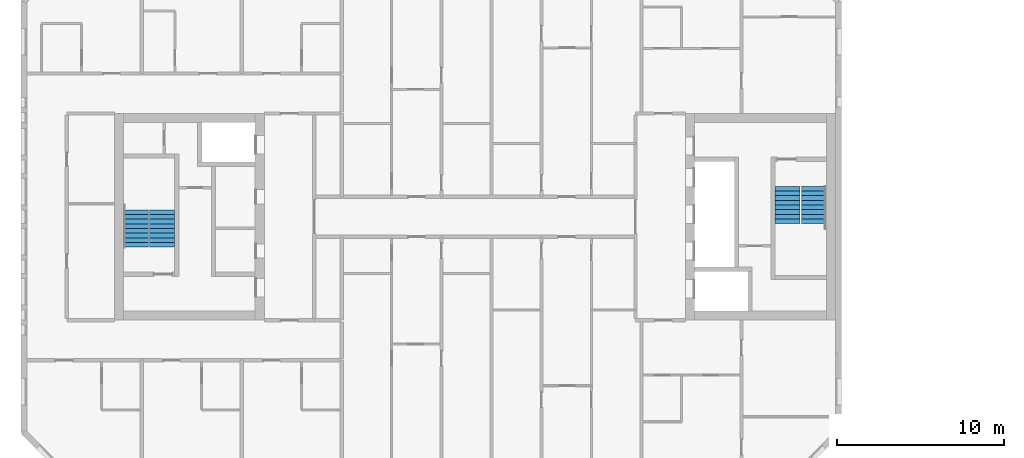
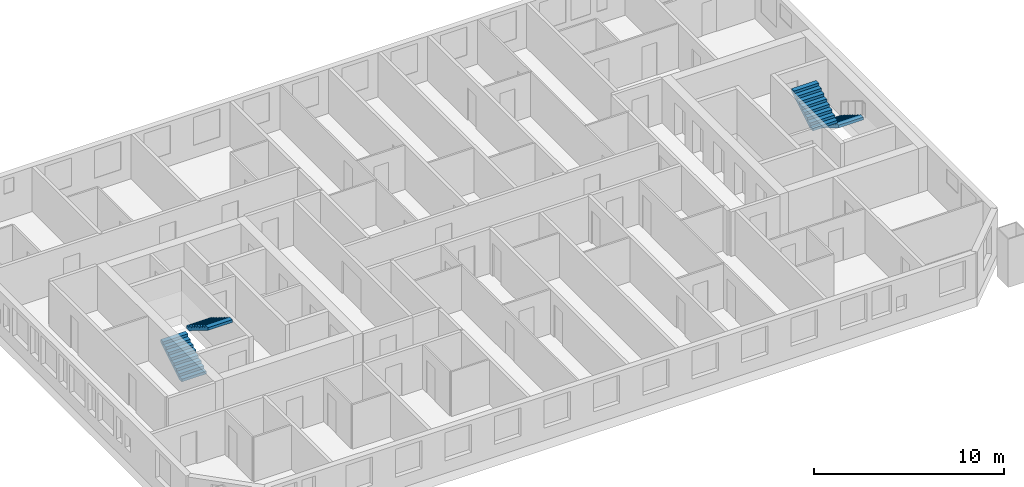
# One storey, part 16 of 17: 4 stair flights, 2 elements without a shape of their own.
"""IFC4 building model written with IfcOpenShell, lengths in metres."""

from ifc_helpers import new_model, si_unit, direction, frame, origin, place, context, subcontext, project, spatial, faceted_brep, material, type_object, element, aggregate, save


model = new_model("IFC4")

# Units and contexts
model_context = context("Model", 3, precision=1e-05, world=origin(), true_north=direction((0.0, 1.0)))
body_context = subcontext(model_context, "Body", "Model", "MODEL_VIEW")
ifc_project = project(units=[si_unit("LENGTHUNIT", "METRE"), si_unit("AREAUNIT", "SQUARE_METRE"), si_unit("VOLUMEUNIT", "CUBIC_METRE"), si_unit("PLANEANGLEUNIT", "RADIAN"), si_unit("MASSUNIT", "GRAM", prefix="KILO")], contexts=[model_context])

# Site, building, storey
site_placement = place(None, origin())
site = spatial("IfcSite", under=ifc_project, at=site_placement, CompositionType="ELEMENT")
building_placement = place(site_placement, origin())
building = spatial("IfcBuilding", under=site, at=building_placement, Name="Tuart Gate Housing", CompositionType="ELEMENT")
storey_placement = place(building_placement, frame((0.0, 0.0, 123.699951171875)))
storey = spatial("IfcBuildingStorey", under=building, at=storey_placement, Name="L34", CompositionType="ELEMENT", Elevation=123.699951171875)

# Stair, stair flights
ifc_material_1 = material(Name="Concrete C40", Category="concrete")
stair_type = type_object("IfcStairType", Name="Core stair 1500", PredefinedType="HALF_TURN_STAIR", material=ifc_material_1)
stair_1_placement = place(storey_placement, origin())
stair_1 = element("IfcStair", 1, at=stair_1_placement, inside=storey, type_object=stair_type, Name="Stair SA1", PredefinedType="HALF_TURN_STAIR")
ifc_material_2 = material(Name="Concrete C40", Category="concrete")
stair_flight_type = type_object("IfcStairFlightType", Name="Stair flight 1500, 9 risers 172 x 280", PredefinedType="STRAIGHT", material=ifc_material_2)
stair_flight_1_placement = place(storey_placement, frame((74.340087890625, 71.824951171875, 0.0), z_axis=(0.0, 0.0, 1.0), x_axis=(0.0, -1.0, 0.0)))
stair_flight_1 = element("IfcStairFlight", 2, at=stair_flight_1_placement, type_object=stair_flight_type, Name="SA1 flight 1", NumberOfRisers=9, NumberOfTreads=8, PredefinedType="STRAIGHT", RiserHeight=0.172222222, TreadLength=0.28, context=body_context, shape_type="Brep", body=[
    faceted_brep([(0.0, 0.75, 0.0), (0.0, 0.75, 0.172119140625), (0.280029296875, 0.75, 0.172119140625), (0.280029296875, 0.75, 0.344482421875), (0.56005859375, 0.75, 0.344482421875), (0.56005859375, 0.75, 0.5166015625), (0.840087890625, 0.75, 0.5166015625), (0.840087890625, 0.75, 0.68896484375), (1.1201171875, 0.75, 0.68896484375), (1.1201171875, 0.75, 0.861083984375), (1.39990234375, 0.75, 0.861083984375), (1.39990234375, 0.75, 1.033447265625), (1.679931640625, 0.75, 1.033447265625), (1.679931640625, 0.75, 1.20556640625), (1.9599609375, 0.75, 1.20556640625), (1.9599609375, 0.75, 1.377685546875), (2.239990234375, 0.75, 1.377685546875), (2.239990234375, 0.75, 1.201904296875), (0.2861328125, 0.75, 0.0), (0.2861328125, -0.75, 0.0), (2.239990234375, -0.75, 1.201904296875), (2.239990234375, -0.75, 1.377685546875), (1.9599609375, -0.75, 1.377685546875), (1.9599609375, -0.75, 1.20556640625), (1.679931640625, -0.75, 1.20556640625), (1.679931640625, -0.75, 1.033447265625), (1.39990234375, -0.75, 1.033447265625), (1.39990234375, -0.75, 0.861083984375), (1.1201171875, -0.75, 0.861083984375), (1.1201171875, -0.75, 0.68896484375), (0.840087890625, -0.75, 0.68896484375), (0.840087890625, -0.75, 0.5166015625), (0.56005859375, -0.75, 0.5166015625), (0.56005859375, -0.75, 0.344482421875), (0.280029296875, -0.75, 0.344482421875), (0.280029296875, -0.75, 0.172119140625), (0.0, -0.75, 0.172119140625), (0.0, -0.75, 0.0), (2.239990234375, 0.0, 1.201904296875), (0.2861328125, 0.0, 0.0), (2.239990234375, 0.0, 1.377685546875), (1.9599609375, 0.0, 1.377685546875), (1.9599609375, 0.0, 1.20556640625), (1.679931640625, 0.0, 1.20556640625), (1.679931640625, 0.0, 1.033447265625), (1.39990234375, 0.0, 1.033447265625), (1.39990234375, 0.0, 0.861083984375), (1.1201171875, 0.0, 0.861083984375), (1.1201171875, 0.0, 0.68896484375), (0.840087890625, 0.0, 0.68896484375), (0.840087890625, 0.0, 0.5166015625), (0.56005859375, 0.0, 0.5166015625), (0.56005859375, 0.0, 0.344482421875), (0.280029296875, 0.0, 0.344482421875), (0.280029296875, 0.0, 0.172119140625), (0.0, 0.0, 0.172119140625), (0.0, 0.0, 0.0)], [[[0, 1, 2, 3, 4, 5, 6, 7, 8, 9, 10, 11, 12, 13, 14, 15, 16, 17, 18]], [[19, 20, 21, 22, 23, 24, 25, 26, 27, 28, 29, 30, 31, 32, 33, 34, 35, 36, 37]], [[18, 17, 38, 39]], [[39, 38, 20, 19]], [[17, 16, 40, 38]], [[38, 40, 21, 20]], [[16, 15, 41, 40]], [[40, 41, 22, 21]], [[15, 14, 42, 41]], [[41, 42, 23, 22]], [[14, 13, 43, 42]], [[42, 43, 24, 23]], [[13, 12, 44, 43]], [[43, 44, 25, 24]], [[12, 11, 45, 44]], [[44, 45, 26, 25]], [[11, 10, 46, 45]], [[45, 46, 27, 26]], [[10, 9, 47, 46]], [[46, 47, 28, 27]], [[9, 8, 48, 47]], [[47, 48, 29, 28]], [[8, 7, 49, 48]], [[48, 49, 30, 29]], [[7, 6, 50, 49]], [[49, 50, 31, 30]], [[6, 5, 51, 50]], [[50, 51, 32, 31]], [[5, 4, 52, 51]], [[51, 52, 33, 32]], [[4, 3, 53, 52]], [[52, 53, 34, 33]], [[3, 2, 54, 53]], [[53, 54, 35, 34]], [[2, 1, 55, 54]], [[54, 55, 36, 35]], [[1, 0, 56, 55]], [[55, 56, 37, 36]], [[0, 18, 39, 56]], [[56, 39, 19, 37]]]),
])
stair_flight_2_placement = place(storey_placement, frame((72.764892578125, 69.5849609375, 1.550048828125), z_axis=(0.0, 0.0, 1.0), x_axis=(0.0, 1.0, 0.0)))
stair_flight_2 = element("IfcStairFlight", 3, at=stair_flight_2_placement, type_object=stair_flight_type, Name="SA1 flight 2", NumberOfRisers=9, NumberOfTreads=8, PredefinedType="STRAIGHT", RiserHeight=0.172222222, TreadLength=0.28, context=body_context, shape_type="Brep", body=[
    faceted_brep([(0.0, 0.75, 0.0), (0.0, 0.75, 0.172119140625), (0.280029296875, 0.75, 0.172119140625), (0.280029296875, 0.75, 0.344482421875), (0.56005859375, 0.75, 0.344482421875), (0.56005859375, 0.75, 0.5166015625), (0.840087890625, 0.75, 0.5166015625), (0.840087890625, 0.75, 0.68896484375), (1.1201171875, 0.75, 0.68896484375), (1.1201171875, 0.75, 0.861083984375), (1.39990234375, 0.75, 0.861083984375), (1.39990234375, 0.75, 1.033447265625), (1.679931640625, 0.75, 1.033447265625), (1.679931640625, 0.75, 1.20556640625), (1.9599609375, 0.75, 1.20556640625), (1.9599609375, 0.75, 1.377685546875), (2.239990234375, 0.75, 1.377685546875), (2.239990234375, 0.75, 1.201904296875), (0.2861328125, 0.75, 0.0), (0.2861328125, -0.75, 0.0), (2.239990234375, -0.75, 1.201904296875), (2.239990234375, -0.75, 1.377685546875), (1.9599609375, -0.75, 1.377685546875), (1.9599609375, -0.75, 1.20556640625), (1.679931640625, -0.75, 1.20556640625), (1.679931640625, -0.75, 1.033447265625), (1.39990234375, -0.75, 1.033447265625), (1.39990234375, -0.75, 0.861083984375), (1.1201171875, -0.75, 0.861083984375), (1.1201171875, -0.75, 0.68896484375), (0.840087890625, -0.75, 0.68896484375), (0.840087890625, -0.75, 0.5166015625), (0.56005859375, -0.75, 0.5166015625), (0.56005859375, -0.75, 0.344482421875), (0.280029296875, -0.75, 0.344482421875), (0.280029296875, -0.75, 0.172119140625), (0.0, -0.75, 0.172119140625), (0.0, -0.75, 0.0), (2.239990234375, 0.0, 1.201904296875), (0.2861328125, 0.0, 0.0), (2.239990234375, 0.0, 1.377685546875), (1.9599609375, 0.0, 1.377685546875), (1.9599609375, 0.0, 1.20556640625), (1.679931640625, 0.0, 1.20556640625), (1.679931640625, 0.0, 1.033447265625), (1.39990234375, 0.0, 1.033447265625), (1.39990234375, 0.0, 0.861083984375), (1.1201171875, 0.0, 0.861083984375), (1.1201171875, 0.0, 0.68896484375), (0.840087890625, 0.0, 0.68896484375), (0.840087890625, 0.0, 0.5166015625), (0.56005859375, 0.0, 0.5166015625), (0.56005859375, 0.0, 0.344482421875), (0.280029296875, 0.0, 0.344482421875), (0.280029296875, 0.0, 0.172119140625), (0.0, 0.0, 0.172119140625), (0.0, 0.0, 0.0)], [[[0, 1, 2, 3, 4, 5, 6, 7, 8, 9, 10, 11, 12, 13, 14, 15, 16, 17, 18]], [[19, 20, 21, 22, 23, 24, 25, 26, 27, 28, 29, 30, 31, 32, 33, 34, 35, 36, 37]], [[18, 17, 38, 39]], [[39, 38, 20, 19]], [[17, 16, 40, 38]], [[38, 40, 21, 20]], [[16, 15, 41, 40]], [[40, 41, 22, 21]], [[15, 14, 42, 41]], [[41, 42, 23, 22]], [[14, 13, 43, 42]], [[42, 43, 24, 23]], [[13, 12, 44, 43]], [[43, 44, 25, 24]], [[12, 11, 45, 44]], [[44, 45, 26, 25]], [[11, 10, 46, 45]], [[45, 46, 27, 26]], [[10, 9, 47, 46]], [[46, 47, 28, 27]], [[9, 8, 48, 47]], [[47, 48, 29, 28]], [[8, 7, 49, 48]], [[48, 49, 30, 29]], [[7, 6, 50, 49]], [[49, 50, 31, 30]], [[6, 5, 51, 50]], [[50, 51, 32, 31]], [[5, 4, 52, 51]], [[51, 52, 33, 32]], [[4, 3, 53, 52]], [[52, 53, 34, 33]], [[3, 2, 54, 53]], [[53, 54, 35, 34]], [[2, 1, 55, 54]], [[54, 55, 36, 35]], [[1, 0, 56, 55]], [[55, 56, 37, 36]], [[0, 18, 39, 56]], [[56, 39, 19, 37]]]),
])
aggregate(stair_1, [stair_flight_1, stair_flight_2])

stair_2_placement = place(storey_placement, origin())
stair_2 = element("IfcStair", 4, at=stair_2_placement, inside=storey, type_object=stair_type, Name="Stair SA2", PredefinedType="HALF_TURN_STAIR")
stair_flight_3_placement = place(storey_placement, frame((33.659912109375, 68.175048828125, 0.0), z_axis=(0.0, 0.0, 1.0), x_axis=(0.0, 1.0, 0.0)))
stair_flight_3 = element("IfcStairFlight", 5, at=stair_flight_3_placement, type_object=stair_flight_type, Name="SA2 flight 1", NumberOfRisers=9, NumberOfTreads=8, PredefinedType="STRAIGHT", RiserHeight=0.172222222, TreadLength=0.28, context=body_context, shape_type="Brep", body=[
    faceted_brep([(0.0, 0.75, 0.0), (0.0, 0.75, 0.172119140625), (0.280029296875, 0.75, 0.172119140625), (0.280029296875, 0.75, 0.344482421875), (0.56005859375, 0.75, 0.344482421875), (0.56005859375, 0.75, 0.5166015625), (0.840087890625, 0.75, 0.5166015625), (0.840087890625, 0.75, 0.68896484375), (1.1201171875, 0.75, 0.68896484375), (1.1201171875, 0.75, 0.861083984375), (1.39990234375, 0.75, 0.861083984375), (1.39990234375, 0.75, 1.033447265625), (1.679931640625, 0.75, 1.033447265625), (1.679931640625, 0.75, 1.20556640625), (1.9599609375, 0.75, 1.20556640625), (1.9599609375, 0.75, 1.377685546875), (2.239990234375, 0.75, 1.377685546875), (2.239990234375, 0.75, 1.201904296875), (0.2861328125, 0.75, 0.0), (0.2861328125, -0.75, 0.0), (2.239990234375, -0.75, 1.201904296875), (2.239990234375, -0.75, 1.377685546875), (1.9599609375, -0.75, 1.377685546875), (1.9599609375, -0.75, 1.20556640625), (1.679931640625, -0.75, 1.20556640625), (1.679931640625, -0.75, 1.033447265625), (1.39990234375, -0.75, 1.033447265625), (1.39990234375, -0.75, 0.861083984375), (1.1201171875, -0.75, 0.861083984375), (1.1201171875, -0.75, 0.68896484375), (0.840087890625, -0.75, 0.68896484375), (0.840087890625, -0.75, 0.5166015625), (0.56005859375, -0.75, 0.5166015625), (0.56005859375, -0.75, 0.344482421875), (0.280029296875, -0.75, 0.344482421875), (0.280029296875, -0.75, 0.172119140625), (0.0, -0.75, 0.172119140625), (0.0, -0.75, 0.0), (2.239990234375, 0.0, 1.201904296875), (0.2861328125, 0.0, 0.0), (2.239990234375, 0.0, 1.377685546875), (1.9599609375, 0.0, 1.377685546875), (1.9599609375, 0.0, 1.20556640625), (1.679931640625, 0.0, 1.20556640625), (1.679931640625, 0.0, 1.033447265625), (1.39990234375, 0.0, 1.033447265625), (1.39990234375, 0.0, 0.861083984375), (1.1201171875, 0.0, 0.861083984375), (1.1201171875, 0.0, 0.68896484375), (0.840087890625, 0.0, 0.68896484375), (0.840087890625, 0.0, 0.5166015625), (0.56005859375, 0.0, 0.5166015625), (0.56005859375, 0.0, 0.344482421875), (0.280029296875, 0.0, 0.344482421875), (0.280029296875, 0.0, 0.172119140625), (0.0, 0.0, 0.172119140625), (0.0, 0.0, 0.0)], [[[0, 1, 2, 3, 4, 5, 6, 7, 8, 9, 10, 11, 12, 13, 14, 15, 16, 17, 18]], [[19, 20, 21, 22, 23, 24, 25, 26, 27, 28, 29, 30, 31, 32, 33, 34, 35, 36, 37]], [[18, 17, 38, 39]], [[39, 38, 20, 19]], [[17, 16, 40, 38]], [[38, 40, 21, 20]], [[16, 15, 41, 40]], [[40, 41, 22, 21]], [[15, 14, 42, 41]], [[41, 42, 23, 22]], [[14, 13, 43, 42]], [[42, 43, 24, 23]], [[13, 12, 44, 43]], [[43, 44, 25, 24]], [[12, 11, 45, 44]], [[44, 45, 26, 25]], [[11, 10, 46, 45]], [[45, 46, 27, 26]], [[10, 9, 47, 46]], [[46, 47, 28, 27]], [[9, 8, 48, 47]], [[47, 48, 29, 28]], [[8, 7, 49, 48]], [[48, 49, 30, 29]], [[7, 6, 50, 49]], [[49, 50, 31, 30]], [[6, 5, 51, 50]], [[50, 51, 32, 31]], [[5, 4, 52, 51]], [[51, 52, 33, 32]], [[4, 3, 53, 52]], [[52, 53, 34, 33]], [[3, 2, 54, 53]], [[53, 54, 35, 34]], [[2, 1, 55, 54]], [[54, 55, 36, 35]], [[1, 0, 56, 55]], [[55, 56, 37, 36]], [[0, 18, 39, 56]], [[56, 39, 19, 37]]]),
])
stair_flight_4_placement = place(storey_placement, frame((35.235107421875, 70.4150390625, 1.550048828125), z_axis=(0.0, 0.0, 1.0), x_axis=(0.0, -1.0, 0.0)))
stair_flight_4 = element("IfcStairFlight", 6, at=stair_flight_4_placement, type_object=stair_flight_type, Name="SA2 flight 2", NumberOfRisers=9, NumberOfTreads=8, PredefinedType="STRAIGHT", RiserHeight=0.172222222, TreadLength=0.28, context=body_context, shape_type="Brep", body=[
    faceted_brep([(0.0, 0.75, 0.0), (0.0, 0.75, 0.172119140625), (0.280029296875, 0.75, 0.172119140625), (0.280029296875, 0.75, 0.344482421875), (0.56005859375, 0.75, 0.344482421875), (0.56005859375, 0.75, 0.5166015625), (0.840087890625, 0.75, 0.5166015625), (0.840087890625, 0.75, 0.68896484375), (1.1201171875, 0.75, 0.68896484375), (1.1201171875, 0.75, 0.861083984375), (1.39990234375, 0.75, 0.861083984375), (1.39990234375, 0.75, 1.033447265625), (1.679931640625, 0.75, 1.033447265625), (1.679931640625, 0.75, 1.20556640625), (1.9599609375, 0.75, 1.20556640625), (1.9599609375, 0.75, 1.377685546875), (2.239990234375, 0.75, 1.377685546875), (2.239990234375, 0.75, 1.201904296875), (0.2861328125, 0.75, 0.0), (0.2861328125, -0.75, 0.0), (2.239990234375, -0.75, 1.201904296875), (2.239990234375, -0.75, 1.377685546875), (1.9599609375, -0.75, 1.377685546875), (1.9599609375, -0.75, 1.20556640625), (1.679931640625, -0.75, 1.20556640625), (1.679931640625, -0.75, 1.033447265625), (1.39990234375, -0.75, 1.033447265625), (1.39990234375, -0.75, 0.861083984375), (1.1201171875, -0.75, 0.861083984375), (1.1201171875, -0.75, 0.68896484375), (0.840087890625, -0.75, 0.68896484375), (0.840087890625, -0.75, 0.5166015625), (0.56005859375, -0.75, 0.5166015625), (0.56005859375, -0.75, 0.344482421875), (0.280029296875, -0.75, 0.344482421875), (0.280029296875, -0.75, 0.172119140625), (0.0, -0.75, 0.172119140625), (0.0, -0.75, 0.0), (2.239990234375, 0.0, 1.201904296875), (0.2861328125, 0.0, 0.0), (2.239990234375, 0.0, 1.377685546875), (1.9599609375, 0.0, 1.377685546875), (1.9599609375, 0.0, 1.20556640625), (1.679931640625, 0.0, 1.20556640625), (1.679931640625, 0.0, 1.033447265625), (1.39990234375, 0.0, 1.033447265625), (1.39990234375, 0.0, 0.861083984375), (1.1201171875, 0.0, 0.861083984375), (1.1201171875, 0.0, 0.68896484375), (0.840087890625, 0.0, 0.68896484375), (0.840087890625, 0.0, 0.5166015625), (0.56005859375, 0.0, 0.5166015625), (0.56005859375, 0.0, 0.344482421875), (0.280029296875, 0.0, 0.344482421875), (0.280029296875, 0.0, 0.172119140625), (0.0, 0.0, 0.172119140625), (0.0, 0.0, 0.0)], [[[0, 1, 2, 3, 4, 5, 6, 7, 8, 9, 10, 11, 12, 13, 14, 15, 16, 17, 18]], [[19, 20, 21, 22, 23, 24, 25, 26, 27, 28, 29, 30, 31, 32, 33, 34, 35, 36, 37]], [[18, 17, 38, 39]], [[39, 38, 20, 19]], [[17, 16, 40, 38]], [[38, 40, 21, 20]], [[16, 15, 41, 40]], [[40, 41, 22, 21]], [[15, 14, 42, 41]], [[41, 42, 23, 22]], [[14, 13, 43, 42]], [[42, 43, 24, 23]], [[13, 12, 44, 43]], [[43, 44, 25, 24]], [[12, 11, 45, 44]], [[44, 45, 26, 25]], [[11, 10, 46, 45]], [[45, 46, 27, 26]], [[10, 9, 47, 46]], [[46, 47, 28, 27]], [[9, 8, 48, 47]], [[47, 48, 29, 28]], [[8, 7, 49, 48]], [[48, 49, 30, 29]], [[7, 6, 50, 49]], [[49, 50, 31, 30]], [[6, 5, 51, 50]], [[50, 51, 32, 31]], [[5, 4, 52, 51]], [[51, 52, 33, 32]], [[4, 3, 53, 52]], [[52, 53, 34, 33]], [[3, 2, 54, 53]], [[53, 54, 35, 34]], [[2, 1, 55, 54]], [[54, 55, 36, 35]], [[1, 0, 56, 55]], [[55, 56, 37, 36]], [[0, 18, 39, 56]], [[56, 39, 19, 37]]]),
])
aggregate(stair_2, [stair_flight_3, stair_flight_4])

save(model, "model.ifc")
